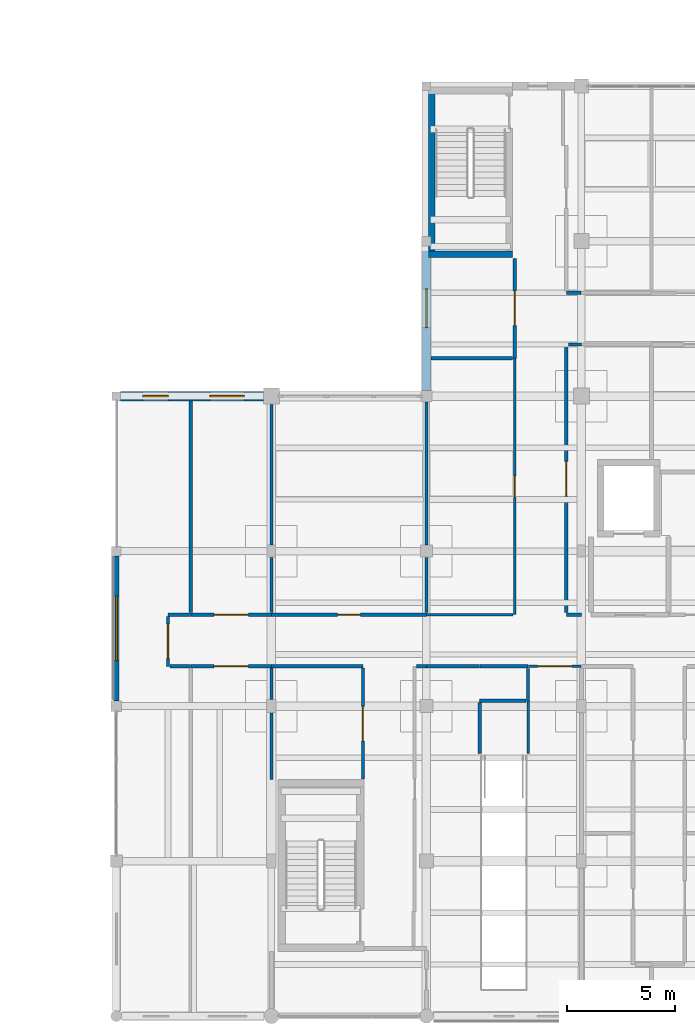
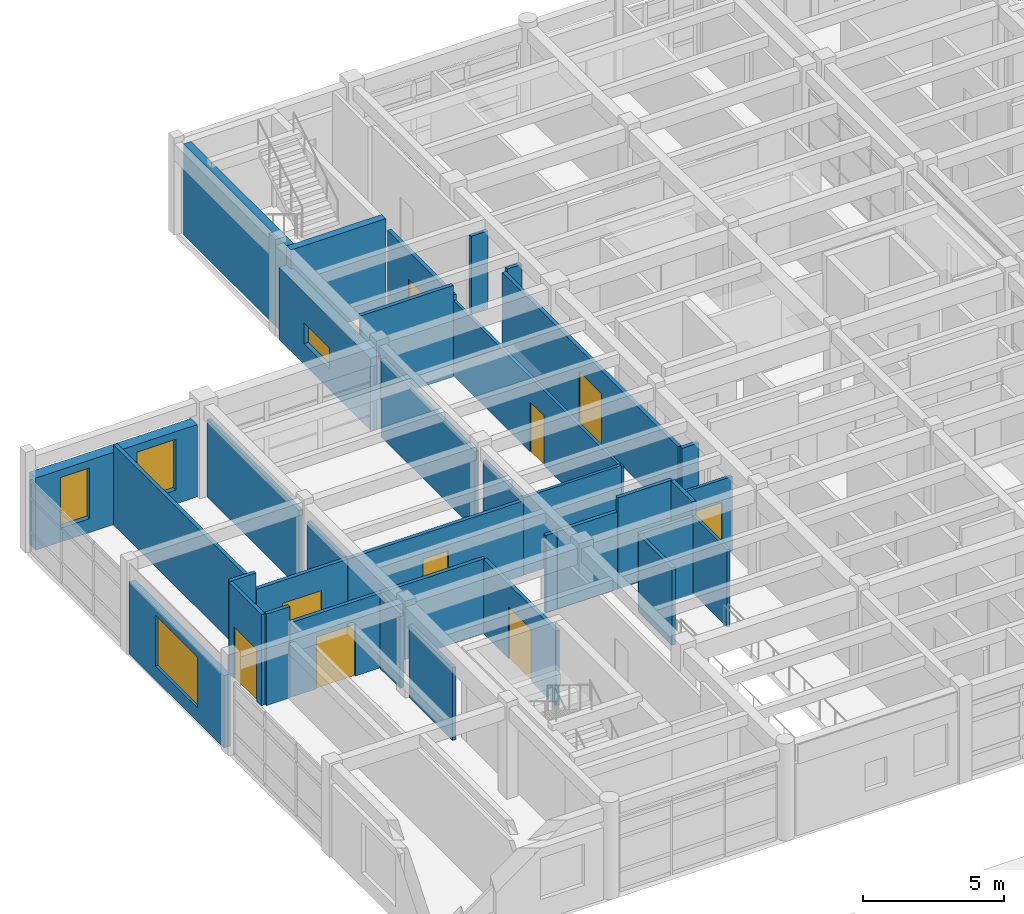
# One storey, part 83 of 110: 36 walls, 9 doors, 4 windows, 13 openings.
"""IFC4 building model written with IfcOpenShell, lengths in metres."""

from ifc_helpers import new_model, si_unit, direction, frame, frame_2d, origin, place, context, subcontext, project, spatial, rectangle, extrude, material, layer, layer_set, type_object, element, fill, save


model = new_model("IFC4")

# Units and contexts
model_context = context("Model", 3, precision=1e-05, world=origin(), true_north=direction((0.0, 1.0)))
body_context = subcontext(model_context, "Body", "Model", "MODEL_VIEW")
ifc_project = project(units=[si_unit("LENGTHUNIT", "METRE"), si_unit("AREAUNIT", "SQUARE_METRE"), si_unit("VOLUMEUNIT", "CUBIC_METRE"), si_unit("PLANEANGLEUNIT", "RADIAN"), si_unit("MASSUNIT", "GRAM", prefix="KILO")], contexts=[model_context])

# Site, building, storey
site_placement = place(None, origin())
site = spatial("IfcSite", under=ifc_project, at=site_placement, CompositionType="ELEMENT")
building_placement = place(site_placement, origin())
building = spatial("IfcBuilding", under=site, at=building_placement, Name="Steenspoor Specialist Clinic", CompositionType="ELEMENT")
storey_placement = place(building_placement, frame((0.0, 0.0, 4.800048828125)))
storey = spatial("IfcBuildingStorey", under=building, at=storey_placement, Name="L01", CompositionType="ELEMENT", Elevation=4.800048828125)

# Wall, opening, window
ifc_material_1 = material(Name="Extruded clay brick masonry", Category="masonry")
ifc_layer_1 = layer(ifc_material_1, 0.409912109375)
ifc_layer_set_1 = layer_set([ifc_layer_1], Name="Extruded clay brick masonry")
wall_type_1 = type_object("IfcWallType", Name="W-BRICK-410", PredefinedType="USERDEFINED", material=ifc_layer_set_1)
wall_1_placement = place(storey_placement, frame((30.0, 94.199951171875, 0.0), z_axis=(0.0, 0.0, 1.0), x_axis=(0.0, 1.0, 0.0)))
wall_1 = element("IfcWall", 1, at=wall_1_placement, inside=storey, type_object=wall_type_1, Name="Exterior Brick Wall EW-V5-L01-0260", ObjectType="CAVITY VENEER", PredefinedType="USERDEFINED", context=body_context, shape_type="SweptSolid", body=[
    extrude(rectangle(XDim=6.5, YDim=0.409912109375, at=frame_2d((3.25, 0.0))), origin(), (0.0, 0.0, 1.0), 3.1298828125),
])
opening_1_placement = place(wall_1_placement, frame((2.927490234375, 0.0, 0.89990234375)))
opening_1 = element("IfcOpeningElement", 2, at=opening_1_placement, cuts=wall_1, Name="Opening WN-22", PredefinedType="OPENING", context=body_context, shape_type="SweptSolid", body=[
    extrude(rectangle(XDim=1.800048828125, YDim=0.89990234375, at=frame_2d((0.89990234375, 0.449951171875))), frame((0.0, 0.21484375, 0.0), z_axis=(0.0, -1.0, 0.0), x_axis=(1.0, 0.0, 0.0)), (0.0, 0.0, 1.0), 0.429931640625),
])
ifc_material_2 = material(Name="Thermally broken aluminium and low-emissivity glass", Category="aluminium")
window_type_1 = type_object("IfcWindowType", Name="WN-EXT-180X090", PartitioningType="SINGLE_PANEL", PredefinedType="WINDOW", material=ifc_material_2)
window_1_placement = place(opening_1_placement, origin())
window_1 = element("IfcWindow", 3, at=window_1_placement, inside=storey, type_object=window_type_1, Name="Window 0285", OverallHeight=0.89990234375, OverallWidth=1.800048828125, PartitioningType="SINGLE_PANEL", PredefinedType="WINDOW", context=body_context, shape_type="SweptSolid", body=[
    extrude(rectangle(XDim=1.800048828125, YDim=0.89990234375, at=frame_2d((0.89990234375, 0.449951171875))), frame((0.0, 0.030029296875, 0.0), z_axis=(0.0, -1.0, 0.0), x_axis=(1.0, 0.0, 0.0)), (0.0, 0.0, 1.0), 0.06005859375),
])
fill(opening_1, window_1)

# Wall, openings, windows
ifc_layer_2 = layer(ifc_material_1, 0.43994140625)
ifc_layer_set_2 = layer_set([ifc_layer_2], Name="Extruded clay brick masonry")
wall_type_2 = type_object("IfcWallType", Name="W-BRICK-440", PredefinedType="USERDEFINED", material=ifc_layer_set_2)
wall_2_placement = place(storey_placement, frame((15.800048828125, 93.949951171875, 0.0), z_axis=(0.0, 0.0, 1.0), x_axis=(1.0, 0.0, 0.0)))
wall_2 = element("IfcWall", 4, at=wall_2_placement, inside=storey, type_object=wall_type_2, Name="Exterior Brick Wall EW-V5-L01-0259", ObjectType="CAVITY VENEER", PredefinedType="USERDEFINED", context=body_context, shape_type="SweptSolid", body=[
    extrude(rectangle(XDim=6.625, YDim=0.43994140625, at=frame_2d((3.3125, 0.0))), origin(), (0.0, 0.0, 1.0), 3.1298828125),
])
opening_2_placement = place(wall_2_placement, frame((1.014892578125, 0.0, 0.60009765625)))
opening_2 = element("IfcOpeningElement", 5, at=opening_2_placement, cuts=wall_2, Name="Opening WN-15", PredefinedType="OPENING", context=body_context, shape_type="SweptSolid", body=[
    extrude(rectangle(XDim=1.199951171875, YDim=2.199951171875, at=frame_2d((0.60009765625, 1.10009765625))), frame((0.0, 0.22998046875, 0.0), z_axis=(0.0, -1.0, 0.0), x_axis=(1.0, 0.0, 0.0)), (0.0, 0.0, 1.0), 0.4599609375),
])
opening_3_placement = place(wall_2_placement, frame((4.1474609375, 0.0, 0.60009765625)))
opening_3 = element("IfcOpeningElement", 6, at=opening_3_placement, cuts=wall_2, Name="Opening WN-16", PredefinedType="OPENING", context=body_context, shape_type="SweptSolid", body=[
    extrude(rectangle(XDim=1.60009765625, YDim=2.199951171875, at=frame_2d((0.800048828125, 1.10009765625))), frame((0.0, 0.22998046875, 0.0), z_axis=(0.0, -1.0, 0.0), x_axis=(1.0, 0.0, 0.0)), (0.0, 0.0, 1.0), 0.4599609375),
])
window_type_2 = type_object("IfcWindowType", Name="WN-EXT-120X220", PartitioningType="SINGLE_PANEL", PredefinedType="WINDOW", material=ifc_material_2)
window_2_placement = place(opening_2_placement, origin())
window_2 = element("IfcWindow", 7, at=window_2_placement, inside=storey, type_object=window_type_2, Name="Window 0283", OverallHeight=2.199951171875, OverallWidth=1.199951171875, PartitioningType="SINGLE_PANEL", PredefinedType="WINDOW", context=body_context, shape_type="SweptSolid", body=[
    extrude(rectangle(XDim=1.199951171875, YDim=2.199951171875, at=frame_2d((0.60009765625, 1.10009765625))), frame((0.0, 0.030029296875, 0.0), z_axis=(0.0, -1.0, 0.0), x_axis=(1.0, 0.0, 0.0)), (0.0, 0.0, 1.0), 0.06005859375),
])
fill(opening_2, window_2)
window_type_3 = type_object("IfcWindowType", Name="WN-EXT-160X220", PartitioningType="SINGLE_PANEL", PredefinedType="WINDOW", material=ifc_material_2)
window_3_placement = place(opening_3_placement, origin())
window_3 = element("IfcWindow", 8, at=window_3_placement, inside=storey, type_object=window_type_3, Name="Window 0284", OverallHeight=2.199951171875, OverallWidth=1.60009765625, PartitioningType="SINGLE_PANEL", PredefinedType="WINDOW", context=body_context, shape_type="SweptSolid", body=[
    extrude(rectangle(XDim=1.60009765625, YDim=2.199951171875, at=frame_2d((0.800048828125, 1.10009765625))), frame((0.0, 0.030029296875, 0.0), z_axis=(0.0, -1.0, 0.0), x_axis=(1.0, 0.0, 0.0)), (0.0, 0.0, 1.0), 0.06005859375),
])
fill(opening_3, window_3)

# Wall
ifc_material_3 = material(Name="Gypsum acoustic clinical partition", Category="gypsum")
ifc_layer_3 = layer(ifc_material_3, 0.14990234375)
ifc_layer_set_3 = layer_set([ifc_layer_3], Name="Gypsum acoustic clinical partition")
wall_type_3 = type_object("IfcWallType", Name="W-CLIN-150", PredefinedType="PARTITIONING", material=ifc_layer_set_3)
wall_3_placement = place(storey_placement, frame((18.0, 83.800048828125, 0.0), z_axis=(0.0, 0.0, 1.0), x_axis=(1.0, 0.0, 0.0)))
element("IfcWall", 9, at=wall_3_placement, inside=storey, type_object=wall_type_3, Name="Interior Partition IW-V5-L01-0806", PredefinedType="PARTITIONING", context=body_context, shape_type="SweptSolid", body=[
    extrude(rectangle(XDim=1.050048828125, YDim=0.14990234375, at=frame_2d((0.52490234375, 0.0))), origin(), (0.0, 0.0, 1.0), 3.949951171875),
])

# Wall, opening, door
wall_4_placement = place(storey_placement, frame((18.0, 81.39990234375, 0.0), z_axis=(0.0, 0.0, 1.0), x_axis=(0.0, 1.0, 0.0)))
wall_4 = element("IfcWall", 10, at=wall_4_placement, inside=storey, type_object=wall_type_3, Name="Interior Partition IW-V5-L01-0807", PredefinedType="PARTITIONING", context=body_context, shape_type="SweptSolid", body=[
    extrude(rectangle(XDim=2.31005859375, YDim=0.14990234375, at=frame_2d((1.155029296875, 0.0))), origin(), (0.0, 0.0, 1.0), 3.949951171875),
])
opening_4_placement = place(wall_4_placement, frame((0.35498046875, 0.0, 0.0)))
opening_4 = element("IfcOpeningElement", 11, at=opening_4_placement, cuts=wall_4, Name="Opening D0345", PredefinedType="OPENING", context=body_context, shape_type="SweptSolid", body=[
    extrude(rectangle(XDim=1.60009765625, YDim=2.25, at=frame_2d((0.800048828125, 1.125))), frame((0.0, 0.0849609375, 0.0), z_axis=(0.0, -1.0, 0.0), x_axis=(1.0, 0.0, 0.0)), (0.0, 0.0, 1.0), 0.169921875),
])
ifc_material_4 = material(Name="Hygienic HPL clinical timber door", Category="wood")
door_type_1 = type_object("IfcDoorType", Name="DT-PROC-160X225", OperationType="NOTDEFINED", PredefinedType="DOOR", material=ifc_material_4)
door_1_placement = place(opening_4_placement, origin())
door_1 = element("IfcDoor", 12, at=door_1_placement, inside=storey, type_object=door_type_1, Name="Clinical Door D0345", OperationType="SINGLE_SWING_RIGHT", OverallHeight=2.25, OverallWidth=1.60009765625, PredefinedType="DOOR", context=body_context, shape_type="SweptSolid", body=[
    extrude(rectangle(XDim=1.60009765625, YDim=2.25, at=frame_2d((0.800048828125, 1.125))), frame((0.0, 0.02490234375, 0.0), z_axis=(0.0, -1.0, 0.0), x_axis=(1.0, 0.0, 0.0)), (0.0, 0.0, 1.0), 0.050048828125),
])
fill(opening_4, door_1)

# Wall
wall_5_placement = place(storey_placement, frame((18.090087890625, 81.39990234375, 0.0), z_axis=(0.0, 0.0, 1.0), x_axis=(1.0, 0.0, 0.0)))
element("IfcWall", 13, at=wall_5_placement, inside=storey, type_object=wall_type_3, Name="Interior Partition IW-V5-L01-0808", PredefinedType="PARTITIONING", context=body_context, shape_type="SweptSolid", body=[
    extrude(rectangle(XDim=0.9599609375, YDim=0.14990234375, at=frame_2d((0.47998046875, 0.0))), origin(), (0.0, 0.0, 1.0), 3.949951171875),
])

# Wall, opening, door
wall_6_placement = place(storey_placement, frame((19.06494140625, 81.39990234375, 0.0), z_axis=(0.0, 0.0, 1.0), x_axis=(1.0, 0.0, 0.0)))
wall_6 = element("IfcWall", 14, at=wall_6_placement, inside=storey, type_object=wall_type_3, Name="Interior Partition IW-V5-L01-0809", PredefinedType="PARTITIONING", context=body_context, shape_type="SweptSolid", body=[
    extrude(rectangle(XDim=3.735107421875, YDim=0.14990234375, at=frame_2d((1.86767578125, 0.0))), origin(), (0.0, 0.0, 1.0), 3.23486328125),
])
opening_5_placement = place(wall_6_placement, frame((1.0673828125, 0.0, 0.0)))
opening_5 = element("IfcOpeningElement", 15, at=opening_5_placement, cuts=wall_6, Name="Opening D0346", PredefinedType="OPENING", context=body_context, shape_type="SweptSolid", body=[
    extrude(rectangle(XDim=1.60009765625, YDim=2.25, at=frame_2d((0.800048828125, 1.125))), frame((0.0, 0.0849609375, 0.0), z_axis=(0.0, -1.0, 0.0), x_axis=(1.0, 0.0, 0.0)), (0.0, 0.0, 1.0), 0.169921875),
])
door_2_placement = place(opening_5_placement, origin())
door_2 = element("IfcDoor", 16, at=door_2_placement, inside=storey, type_object=door_type_1, Name="Clinical Door D0346", OperationType="SINGLE_SWING_LEFT", OverallHeight=2.25, OverallWidth=1.60009765625, PredefinedType="DOOR", context=body_context, shape_type="SweptSolid", body=[
    extrude(rectangle(XDim=1.60009765625, YDim=2.25, at=frame_2d((0.800048828125, 1.125))), frame((0.0, 0.02490234375, 0.0), z_axis=(0.0, -1.0, 0.0), x_axis=(1.0, 0.0, 0.0)), (0.0, 0.0, 1.0), 0.050048828125),
])
fill(opening_5, door_2)

# Wall
wall_7_placement = place(storey_placement, frame((22.81494140625, 81.39990234375, 0.0), z_axis=(0.0, 0.0, 1.0), x_axis=(1.0, 0.0, 0.0)))
element("IfcWall", 17, at=wall_7_placement, inside=storey, type_object=wall_type_3, Name="Interior Partition IW-V5-L01-0815", PredefinedType="PARTITIONING", context=body_context, shape_type="SweptSolid", body=[
    extrude(rectangle(XDim=4.235107421875, YDim=0.14990234375, at=frame_2d((2.11767578125, 0.0))), origin(), (0.0, 0.0, 1.0), 3.23486328125),
])

# Wall, opening, door
wall_8_placement = place(storey_placement, frame((27.050048828125, 76.1650390625, 0.0), z_axis=(0.0, 0.0, 1.0), x_axis=(0.0, 1.0, 0.0)))
wall_8 = element("IfcWall", 18, at=wall_8_placement, inside=storey, type_object=wall_type_3, Name="Interior Partition IW-V5-L01-0816", PredefinedType="PARTITIONING", context=body_context, shape_type="SweptSolid", body=[
    extrude(rectangle(XDim=5.14501953125, YDim=0.14990234375, at=frame_2d((2.572509765625, 0.0))), origin(), (0.0, 0.0, 1.0), 3.23486328125),
])
opening_6_placement = place(wall_8_placement, frame((1.7724609375, 0.0, 0.0)))
opening_6 = element("IfcOpeningElement", 19, at=opening_6_placement, cuts=wall_8, Name="Opening D0356", PredefinedType="OPENING", context=body_context, shape_type="SweptSolid", body=[
    extrude(rectangle(XDim=1.60009765625, YDim=2.25, at=frame_2d((0.800048828125, 1.125))), frame((0.0, 0.0849609375, 0.0), z_axis=(0.0, -1.0, 0.0), x_axis=(1.0, 0.0, 0.0)), (0.0, 0.0, 1.0), 0.169921875),
])
door_3_placement = place(opening_6_placement, origin())
door_3 = element("IfcDoor", 20, at=door_3_placement, inside=storey, type_object=door_type_1, Name="Clinical Door D0356", OperationType="SINGLE_SWING_LEFT", OverallHeight=2.25, OverallWidth=1.60009765625, PredefinedType="DOOR", context=body_context, shape_type="SweptSolid", body=[
    extrude(rectangle(XDim=1.60009765625, YDim=2.25, at=frame_2d((0.800048828125, 1.125))), frame((0.0, 0.02490234375, 0.0), z_axis=(0.0, -1.0, 0.0), x_axis=(1.0, 0.0, 0.0)), (0.0, 0.0, 1.0), 0.050048828125),
])
fill(opening_6, door_3)

wall_9_placement = place(storey_placement, frame((19.06494140625, 83.800048828125, 0.0), z_axis=(0.0, 0.0, 1.0), x_axis=(1.0, 0.0, 0.0)))
wall_9 = element("IfcWall", 21, at=wall_9_placement, inside=storey, type_object=wall_type_3, Name="Interior Partition IW-V5-L01-0817", PredefinedType="PARTITIONING", context=body_context, shape_type="SweptSolid", body=[
    extrude(rectangle(XDim=3.735107421875, YDim=0.14990234375, at=frame_2d((1.86767578125, 0.0))), origin(), (0.0, 0.0, 1.0), 3.23486328125),
])
opening_7_placement = place(wall_9_placement, frame((1.0673828125, 0.0, 0.0)))
opening_7 = element("IfcOpeningElement", 22, at=opening_7_placement, cuts=wall_9, Name="Opening D0357", PredefinedType="OPENING", context=body_context, shape_type="SweptSolid", body=[
    extrude(rectangle(XDim=1.60009765625, YDim=2.25, at=frame_2d((0.800048828125, 1.125))), frame((0.0, 0.0849609375, 0.0), z_axis=(0.0, -1.0, 0.0), x_axis=(1.0, 0.0, 0.0)), (0.0, 0.0, 1.0), 0.169921875),
])
door_4_placement = place(opening_7_placement, origin())
door_4 = element("IfcDoor", 23, at=door_4_placement, inside=storey, type_object=door_type_1, Name="Clinical Door D0357", OperationType="SINGLE_SWING_RIGHT", OverallHeight=2.25, OverallWidth=1.60009765625, PredefinedType="DOOR", context=body_context, shape_type="SweptSolid", body=[
    extrude(rectangle(XDim=1.60009765625, YDim=2.25, at=frame_2d((0.800048828125, 1.125))), frame((0.0, 0.02490234375, 0.0), z_axis=(0.0, -1.0, 0.0), x_axis=(1.0, 0.0, 0.0)), (0.0, 0.0, 1.0), 0.050048828125),
])
fill(opening_7, door_4)

# Wall
wall_10_placement = place(storey_placement, frame((36.5, 83.800048828125, 0.0), z_axis=(0.0, 0.0, 1.0), x_axis=(1.0, 0.0, 0.0)))
element("IfcWall", 24, at=wall_10_placement, inside=storey, type_object=wall_type_3, Name="Interior Partition IW-V5-L01-0818", PredefinedType="PARTITIONING", context=body_context, shape_type="SweptSolid", body=[
    extrude(rectangle(XDim=0.699951171875, YDim=0.14990234375, at=frame_2d((0.35009765625, 0.0))), origin(), (0.0, 0.0, 1.0), 3.23486328125),
])

# Wall, opening, door
wall_11_placement = place(storey_placement, frame((36.5, 83.889892578125, 0.0), z_axis=(0.0, 0.0, 1.0), x_axis=(0.0, 1.0, 0.0)))
wall_11 = element("IfcWall", 25, at=wall_11_placement, inside=storey, type_object=wall_type_3, Name="Interior Partition IW-V5-L01-0819", PredefinedType="PARTITIONING", context=body_context, shape_type="SweptSolid", body=[
    extrude(rectangle(XDim=12.460205078125, YDim=0.14990234375, at=frame_2d((6.22998046875, 0.0))), origin(), (0.0, 0.0, 1.0), 3.23486328125),
])
opening_8_placement = place(wall_11_placement, frame((5.429931640625, 0.0, 0.0)))
opening_8 = element("IfcOpeningElement", 26, at=opening_8_placement, cuts=wall_11, Name="Opening D0360", PredefinedType="OPENING", context=body_context, shape_type="SweptSolid", body=[
    extrude(rectangle(XDim=1.60009765625, YDim=2.25, at=frame_2d((0.800048828125, 1.125))), frame((0.0, 0.0849609375, 0.0), z_axis=(0.0, -1.0, 0.0), x_axis=(1.0, 0.0, 0.0)), (0.0, 0.0, 1.0), 0.169921875),
])
door_5_placement = place(opening_8_placement, origin())
door_5 = element("IfcDoor", 27, at=door_5_placement, inside=storey, type_object=door_type_1, Name="Clinical Door D0360", OperationType="SINGLE_SWING_LEFT", OverallHeight=2.25, OverallWidth=1.60009765625, PredefinedType="DOOR", context=body_context, shape_type="SweptSolid", body=[
    extrude(rectangle(XDim=1.60009765625, YDim=2.25, at=frame_2d((0.800048828125, 1.125))), frame((0.0, 0.02490234375, 0.0), z_axis=(0.0, -1.0, 0.0), x_axis=(1.0, 0.0, 0.0)), (0.0, 0.0, 1.0), 0.050048828125),
])
fill(opening_8, door_5)

# Wall
wall_12_placement = place(storey_placement, frame((36.590087890625, 96.35009765625, 0.0), z_axis=(0.0, 0.0, 1.0), x_axis=(1.0, 0.0, 0.0)))
element("IfcWall", 28, at=wall_12_placement, inside=storey, type_object=wall_type_3, Name="Interior Partition IW-V5-L01-0820", PredefinedType="PARTITIONING", context=body_context, shape_type="SweptSolid", body=[
    extrude(rectangle(XDim=0.60986328125, YDim=0.14990234375, at=frame_2d((0.304931640625, 0.0))), origin(), (0.0, 0.0, 1.0), 3.35498046875),
])

# Wall, opening, door
wall_13_placement = place(storey_placement, frame((34.10009765625, 95.705078125, 0.0), z_axis=(0.0, 0.0, 1.0), x_axis=(0.0, 1.0, 0.0)))
wall_13 = element("IfcWall", 29, at=wall_13_placement, inside=storey, type_object=wall_type_3, Name="Interior Partition IW-V5-L01-0827", PredefinedType="PARTITIONING", context=body_context, shape_type="SweptSolid", body=[
    extrude(rectangle(XDim=4.64501953125, YDim=0.14990234375, at=frame_2d((2.322509765625, 0.0))), origin(), (0.0, 0.0, 1.0), 3.474853515625),
])
opening_9_placement = place(wall_13_placement, frame((1.5224609375, 0.0, 0.0)))
opening_9 = element("IfcOpeningElement", 30, at=opening_9_placement, cuts=wall_13, Name="Opening D0365", PredefinedType="OPENING", context=body_context, shape_type="SweptSolid", body=[
    extrude(rectangle(XDim=1.60009765625, YDim=2.25, at=frame_2d((0.800048828125, 1.125))), frame((0.0, 0.0849609375, 0.0), z_axis=(0.0, -1.0, 0.0), x_axis=(1.0, 0.0, 0.0)), (0.0, 0.0, 1.0), 0.169921875),
])
door_6_placement = place(opening_9_placement, origin())
door_6 = element("IfcDoor", 31, at=door_6_placement, inside=storey, type_object=door_type_1, Name="Clinical Door D0365", OperationType="SINGLE_SWING_RIGHT", OverallHeight=2.25, OverallWidth=1.60009765625, PredefinedType="DOOR", context=body_context, shape_type="SweptSolid", body=[
    extrude(rectangle(XDim=1.60009765625, YDim=2.25, at=frame_2d((0.800048828125, 1.125))), frame((0.0, 0.02490234375, 0.0), z_axis=(0.0, -1.0, 0.0), x_axis=(1.0, 0.0, 0.0)), (0.0, 0.0, 1.0), 0.050048828125),
])
fill(opening_9, door_6)

# Walls
wall_14_placement = place(storey_placement, frame((29.5400390625, 81.39990234375, 0.0), z_axis=(0.0, 0.0, 1.0), x_axis=(1.0, 0.0, 0.0)))
element("IfcWall", 32, at=wall_14_placement, inside=storey, type_object=wall_type_3, Name="Interior Partition IW-V5-L01-0926", PredefinedType="PARTITIONING", context=body_context, shape_type="SweptSolid", body=[
    extrude(rectangle(XDim=0.4599609375, YDim=0.14990234375, at=frame_2d((0.22998046875, 0.0))), origin(), (0.0, 0.0, 1.0), 3.35498046875),
])
wall_15_placement = place(storey_placement, frame((30.014892578125, 81.39990234375, 0.0), z_axis=(0.0, 0.0, 1.0), x_axis=(1.0, 0.0, 0.0)))
element("IfcWall", 33, at=wall_15_placement, inside=storey, type_object=wall_type_3, Name="Interior Partition IW-V5-L01-0927", PredefinedType="PARTITIONING", context=body_context, shape_type="SweptSolid", body=[
    extrude(rectangle(XDim=2.460205078125, YDim=0.14990234375, at=frame_2d((1.22998046875, 0.0))), origin(), (0.0, 0.0, 1.0), 3.35498046875),
])
wall_16_placement = place(storey_placement, frame((32.489990234375, 81.39990234375, 0.0), z_axis=(0.0, 0.0, 1.0), x_axis=(1.0, 0.0, 0.0)))
element("IfcWall", 34, at=wall_16_placement, inside=storey, type_object=wall_type_3, Name="Interior Partition IW-V5-L01-0928", PredefinedType="PARTITIONING", context=body_context, shape_type="SweptSolid", body=[
    extrude(rectangle(XDim=2.235107421875, YDim=0.14990234375, at=frame_2d((1.11767578125, 0.0))), origin(), (0.0, 0.0, 1.0), 3.949951171875),
])

# Wall, opening, door
wall_17_placement = place(storey_placement, frame((22.81494140625, 83.800048828125, 0.0), z_axis=(0.0, 0.0, 1.0), x_axis=(1.0, 0.0, 0.0)))
wall_17 = element("IfcWall", 35, at=wall_17_placement, inside=storey, type_object=wall_type_3, Name="Interior Partition IW-V5-L01-0929", PredefinedType="PARTITIONING", context=body_context, shape_type="SweptSolid", body=[
    extrude(rectangle(XDim=7.18505859375, YDim=0.14990234375, at=frame_2d((3.592529296875, 0.0))), origin(), (0.0, 0.0, 1.0), 3.23486328125),
])
opening_10_placement = place(wall_17_placement, frame((3.0673828125, 0.0, 0.0)))
opening_10 = element("IfcOpeningElement", 36, at=opening_10_placement, cuts=wall_17, Name="Opening D0358", PredefinedType="OPENING", context=body_context, shape_type="SweptSolid", body=[
    extrude(rectangle(XDim=1.050048828125, YDim=2.14990234375, at=frame_2d((0.52490234375, 1.074951171875))), frame((0.0, 0.0849609375, 0.0), z_axis=(0.0, -1.0, 0.0), x_axis=(1.0, 0.0, 0.0)), (0.0, 0.0, 1.0), 0.169921875),
])
ifc_material_5 = material(Name="Solid-core hardwood office door", Category="wood")
door_type_2 = type_object("IfcDoorType", Name="DT-OFF-105X215", OperationType="NOTDEFINED", PredefinedType="DOOR", material=ifc_material_5)
door_7_placement = place(opening_10_placement, origin())
door_7 = element("IfcDoor", 37, at=door_7_placement, inside=storey, type_object=door_type_2, Name="Clinical Door D0358", OperationType="SINGLE_SWING_LEFT", OverallHeight=2.14990234375, OverallWidth=1.050048828125, PredefinedType="DOOR", context=body_context, shape_type="SweptSolid", body=[
    extrude(rectangle(XDim=1.050048828125, YDim=2.14990234375, at=frame_2d((0.52490234375, 1.074951171875))), frame((0.0, 0.02490234375, 0.0), z_axis=(0.0, -1.0, 0.0), x_axis=(1.0, 0.0, 0.0)), (0.0, 0.0, 1.0), 0.050048828125),
])
fill(opening_10, door_7)

# Walls
wall_18_placement = place(storey_placement, frame((36.5, 98.75, 0.0), z_axis=(0.0, 0.0, 1.0), x_axis=(1.0, 0.0, 0.0)))
element("IfcWall", 38, at=wall_18_placement, inside=storey, type_object=wall_type_3, Name="Interior Partition IW-V5-L01-0932", PredefinedType="PARTITIONING", context=body_context, shape_type="SweptSolid", body=[
    extrude(rectangle(XDim=0.68505859375, YDim=0.14990234375, at=frame_2d((0.342529296875, 0.0))), origin(), (0.0, 0.0, 1.0), 3.35498046875),
])
wall_19_placement = place(storey_placement, frame((19.050048828125, 83.889892578125, 0.0), z_axis=(0.0, 0.0, 1.0), x_axis=(0.0, 1.0, 0.0)))
element("IfcWall", 39, at=wall_19_placement, inside=storey, type_object=wall_type_3, Name="Interior Partition IW-V5-L01-1141", PredefinedType="PARTITIONING", context=body_context, shape_type="SweptSolid", body=[
    extrude(rectangle(XDim=9.8251953125, YDim=0.14990234375, at=frame_2d((4.91259765625, 0.0))), origin(), (0.0, 0.0, 1.0), 3.47998046875),
])
wall_20_placement = place(storey_placement, frame((22.800048828125, 76.14990234375, 0.0), z_axis=(0.0, 0.0, 1.0), x_axis=(0.0, 1.0, 0.0)))
element("IfcWall", 40, at=wall_20_placement, inside=storey, type_object=wall_type_3, Name="Interior Partition IW-V5-L01-1142", PredefinedType="PARTITIONING", context=body_context, shape_type="SweptSolid", body=[
    extrude(rectangle(XDim=3.085205078125, YDim=0.14990234375, at=frame_2d((1.54248046875, 0.0))), origin(), (0.0, 0.0, 1.0), 3.135009765625),
])
wall_21_placement = place(storey_placement, frame((22.800048828125, 79.864990234375, 0.0), z_axis=(0.0, 0.0, 1.0), x_axis=(0.0, 1.0, 0.0)))
element("IfcWall", 41, at=wall_21_placement, inside=storey, type_object=wall_type_3, Name="Interior Partition IW-V5-L01-1143", PredefinedType="PARTITIONING", context=body_context, shape_type="SweptSolid", body=[
    extrude(rectangle(XDim=1.445068359375, YDim=0.14990234375, at=frame_2d((0.72265625, 0.0))), origin(), (0.0, 0.0, 1.0), 3.23486328125),
])
wall_22_placement = place(storey_placement, frame((22.800048828125, 83.889892578125, 0.0), z_axis=(0.0, 0.0, 1.0), x_axis=(0.0, 1.0, 0.0)))
element("IfcWall", 42, at=wall_22_placement, inside=storey, type_object=wall_type_3, Name="Interior Partition IW-V5-L01-1146", PredefinedType="PARTITIONING", context=body_context, shape_type="SweptSolid", body=[
    extrude(rectangle(XDim=2.570068359375, YDim=0.14990234375, at=frame_2d((1.28515625, 0.0))), origin(), (0.0, 0.0, 1.0), 3.23486328125),
])
wall_23_placement = place(storey_placement, frame((22.800048828125, 87.0400390625, 0.0), z_axis=(0.0, 0.0, 1.0), x_axis=(0.0, 1.0, 0.0)))
element("IfcWall", 43, at=wall_23_placement, inside=storey, type_object=wall_type_3, Name="Interior Partition IW-V5-L01-1147", PredefinedType="PARTITIONING", context=body_context, shape_type="SweptSolid", body=[
    extrude(rectangle(XDim=6.52001953125, YDim=0.14990234375, at=frame_2d((3.260009765625, 0.0))), origin(), (0.0, 0.0, 1.0), 3.35498046875),
])
wall_24_placement = place(storey_placement, frame((30.219970703125, 95.705078125, 0.0), z_axis=(0.0, 0.0, 1.0), x_axis=(1.0, 0.0, 0.0)))
element("IfcWall", 44, at=wall_24_placement, inside=storey, type_object=wall_type_3, Name="Interior Partition IW-V5-L01-1148", PredefinedType="PARTITIONING", context=body_context, shape_type="SweptSolid", body=[
    extrude(rectangle(XDim=3.7900390625, YDim=0.14990234375, at=frame_2d((1.89501953125, 0.0))), origin(), (0.0, 0.0, 1.0), 3.949951171875),
])
wall_25_placement = place(storey_placement, frame((34.72509765625, 79.800048828125, 0.0), z_axis=(0.0, 0.0, 1.0), x_axis=(0.0, 1.0, 0.0)))
element("IfcWall", 45, at=wall_25_placement, inside=storey, type_object=wall_type_3, Name="Interior Partition IW-V5-L01-1205", PredefinedType="PARTITIONING", context=body_context, shape_type="SweptSolid", body=[
    extrude(rectangle(XDim=1.510009765625, YDim=0.14990234375, at=frame_2d((0.7548828125, 0.0))), origin(), (0.0, 0.0, 1.0), 3.949951171875),
])
wall_26_placement = place(storey_placement, frame((32.47509765625, 79.800048828125, 0.0), z_axis=(0.0, 0.0, 1.0), x_axis=(1.0, 0.0, 0.0)))
element("IfcWall", 46, at=wall_26_placement, inside=storey, type_object=wall_type_3, Name="Interior Partition IW-V5-L01-1206", PredefinedType="PARTITIONING", context=body_context, shape_type="SweptSolid", body=[
    extrude(rectangle(XDim=2.159912109375, YDim=0.14990234375, at=frame_2d((1.080078125, 0.0))), origin(), (0.0, 0.0, 1.0), 3.35498046875),
])
wall_27_placement = place(storey_placement, frame((32.47509765625, 77.35009765625, 0.0), z_axis=(0.0, 0.0, 1.0), x_axis=(0.0, 1.0, 0.0)))
element("IfcWall", 47, at=wall_27_placement, inside=storey, type_object=wall_type_3, Name="Interior Partition IW-V5-L01-1207", PredefinedType="PARTITIONING", context=body_context, shape_type="SweptSolid", body=[
    extrude(rectangle(XDim=2.35986328125, YDim=0.14990234375, at=frame_2d((1.179931640625, 0.0))), origin(), (0.0, 0.0, 1.0), 3.35498046875),
])
wall_28_placement = place(storey_placement, frame((30.0, 83.889892578125, 0.0), z_axis=(0.0, 0.0, 1.0), x_axis=(0.0, 1.0, 0.0)))
element("IfcWall", 48, at=wall_28_placement, inside=storey, type_object=wall_type_3, Name="Interior Partition IW-V5-L01-1208", PredefinedType="PARTITIONING", context=body_context, shape_type="SweptSolid", body=[
    extrude(rectangle(XDim=2.570068359375, YDim=0.14990234375, at=frame_2d((1.28515625, 0.0))), origin(), (0.0, 0.0, 1.0), 3.35498046875),
])
wall_29_placement = place(storey_placement, frame((30.0, 87.0400390625, 0.0), z_axis=(0.0, 0.0, 1.0), x_axis=(0.0, 1.0, 0.0)))
element("IfcWall", 49, at=wall_29_placement, inside=storey, type_object=wall_type_3, Name="Interior Partition IW-V5-L01-1209", PredefinedType="PARTITIONING", context=body_context, shape_type="SweptSolid", body=[
    extrude(rectangle(XDim=6.64501953125, YDim=0.14990234375, at=frame_2d((3.322509765625, 0.0))), origin(), (0.0, 0.0, 1.0), 3.385009765625),
])

# Wall, opening, door
ifc_material_6 = material(Name="Gypsum studio partition board", Category="gypsum")
ifc_layer_4 = layer(ifc_material_6, 0.1201171875)
ifc_layer_set_4 = layer_set([ifc_layer_4], Name="Gypsum studio partition board")
wall_type_4 = type_object("IfcWallType", Name="W-PART-120", PredefinedType="PARTITIONING", material=ifc_layer_set_4)
wall_30_placement = place(storey_placement, frame((34.739990234375, 81.39990234375, 0.0), z_axis=(0.0, 0.0, 1.0), x_axis=(1.0, 0.0, 0.0)))
wall_30 = element("IfcWall", 50, at=wall_30_placement, inside=storey, type_object=wall_type_4, Name="Interior Partition IW-V5-L01-1020", PredefinedType="PARTITIONING", context=body_context, shape_type="SweptSolid", body=[
    extrude(rectangle(XDim=2.445068359375, YDim=0.1201171875, at=frame_2d((1.22265625, 0.0))), origin(), (0.0, 0.0, 1.0), 3.23486328125),
])
opening_11_placement = place(wall_30_placement, frame((0.422607421875, 0.0, 0.0)))
opening_11 = element("IfcOpeningElement", 51, at=opening_11_placement, cuts=wall_30, Name="Opening D0349", PredefinedType="OPENING", context=body_context, shape_type="SweptSolid", body=[
    extrude(rectangle(XDim=1.60009765625, YDim=2.25, at=frame_2d((0.800048828125, 1.125))), frame((0.0, 0.070068359375, 0.0), z_axis=(0.0, -1.0, 0.0), x_axis=(1.0, 0.0, 0.0)), (0.0, 0.0, 1.0), 0.14013671875),
])
door_8_placement = place(opening_11_placement, origin())
door_8 = element("IfcDoor", 52, at=door_8_placement, inside=storey, type_object=door_type_1, Name="Clinical Door D0349", OperationType="SINGLE_SWING_RIGHT", OverallHeight=2.25, OverallWidth=1.60009765625, PredefinedType="DOOR", context=body_context, shape_type="SweptSolid", body=[
    extrude(rectangle(XDim=1.60009765625, YDim=2.25, at=frame_2d((0.800048828125, 1.125))), frame((0.0, 0.02490234375, 0.0), z_axis=(0.0, -1.0, 0.0), x_axis=(1.0, 0.0, 0.0)), (0.0, 0.0, 1.0), 0.050048828125),
])
fill(opening_11, door_8)

wall_31_placement = place(storey_placement, frame((34.10009765625, 83.800048828125, 0.0), z_axis=(0.0, 0.0, 1.0), x_axis=(0.0, 1.0, 0.0)))
wall_31 = element("IfcWall", 53, at=wall_31_placement, inside=storey, type_object=wall_type_4, Name="Interior Partition IW-V5-L01-1021", PredefinedType="PARTITIONING", context=body_context, shape_type="SweptSolid", body=[
    extrude(rectangle(XDim=11.889892578125, YDim=0.1201171875, at=frame_2d((5.94482421875, 0.0))), origin(), (0.0, 0.0, 1.0), 3.23486328125),
])
opening_12_placement = place(wall_31_placement, frame((5.445068359375, 0.0, 0.0)))
opening_12 = element("IfcOpeningElement", 54, at=opening_12_placement, cuts=wall_31, Name="Opening D0359", PredefinedType="OPENING", context=body_context, shape_type="SweptSolid", body=[
    extrude(rectangle(XDim=1.0, YDim=2.14990234375, at=frame_2d((0.5, 1.074951171875))), frame((0.0, 0.070068359375, 0.0), z_axis=(0.0, -1.0, 0.0), x_axis=(1.0, 0.0, 0.0)), (0.0, 0.0, 1.0), 0.14013671875),
])
ifc_material_7 = material(Name="Moisture-resistant HPL accessible WC door", Category="wood")
door_type_3 = type_object("IfcDoorType", Name="DT-AWC-100X215", OperationType="NOTDEFINED", PredefinedType="DOOR", material=ifc_material_7)
door_9_placement = place(opening_12_placement, origin())
door_9 = element("IfcDoor", 55, at=door_9_placement, inside=storey, type_object=door_type_3, Name="Clinical Door D0359", OperationType="SINGLE_SWING_RIGHT", OverallHeight=2.14990234375, OverallWidth=1.0, PredefinedType="DOOR", context=body_context, shape_type="SweptSolid", body=[
    extrude(rectangle(XDim=1.0, YDim=2.14990234375, at=frame_2d((0.5, 1.074951171875))), frame((0.0, 0.02490234375, 0.0), z_axis=(0.0, -1.0, 0.0), x_axis=(1.0, 0.0, 0.0)), (0.0, 0.0, 1.0), 0.050048828125),
])
fill(opening_12, door_9)

# Walls
wall_32_placement = place(storey_placement, frame((30.014892578125, 83.800048828125, 0.0), z_axis=(0.0, 0.0, 1.0), x_axis=(1.0, 0.0, 0.0)))
element("IfcWall", 56, at=wall_32_placement, inside=storey, type_object=wall_type_4, Name="Interior Partition IW-V5-L01-1022", PredefinedType="PARTITIONING", context=body_context, shape_type="SweptSolid", body=[
    extrude(rectangle(XDim=4.010009765625, YDim=0.1201171875, at=frame_2d((2.0048828125, 0.0))), origin(), (0.0, 0.0, 1.0), 3.35498046875),
])
wall_33_placement = place(storey_placement, frame((34.72509765625, 77.35009765625, 0.0), z_axis=(0.0, 0.0, 1.0), x_axis=(0.0, 1.0, 0.0)))
element("IfcWall", 57, at=wall_33_placement, inside=storey, type_object=wall_type_4, Name="Interior Partition IW-V5-L01-1233", PredefinedType="PARTITIONING", context=body_context, shape_type="SweptSolid", body=[
    extrude(rectangle(XDim=2.434814453125, YDim=0.1201171875, at=frame_2d((1.21728515625, 0.0))), origin(), (0.0, 0.0, 1.0), 3.35498046875),
])

# Wall, opening, window
ifc_layer_5 = layer(ifc_material_1, 0.260009765625)
ifc_layer_set_5 = layer_set([ifc_layer_5], Name="Extruded clay brick masonry")
wall_type_5 = type_object("IfcWallType", Name="W-SCREEN-260", PredefinedType="SOLIDWALL", material=ifc_layer_set_5)
wall_34_placement = place(storey_placement, frame((15.60009765625, 79.800048828125, 0.0), z_axis=(0.0, 0.0, 1.0), x_axis=(0.0, 1.0, 0.0)))
wall_34 = element("IfcWall", 58, at=wall_34_placement, inside=storey, type_object=wall_type_5, Name="Exterior Brick Wall EW-V5-L01-0258", PredefinedType="SOLIDWALL", context=body_context, shape_type="SweptSolid", body=[
    extrude(rectangle(XDim=6.724853515625, YDim=0.260009765625, at=frame_2d((3.3623046875, 0.0))), origin(), (0.0, 0.0, 1.0), 3.1298828125),
])
opening_13_placement = place(wall_34_placement, frame((1.862548828125, 0.0, 0.60009765625)))
opening_13 = element("IfcOpeningElement", 59, at=opening_13_placement, cuts=wall_34, Name="Opening WN-19", PredefinedType="OPENING", context=body_context, shape_type="SweptSolid", body=[
    extrude(rectangle(XDim=3.0, YDim=2.199951171875, at=frame_2d((1.5, 1.10009765625))), frame((0.0, 0.14013671875, 0.0), z_axis=(0.0, -1.0, 0.0), x_axis=(1.0, 0.0, 0.0)), (0.0, 0.0, 1.0), 0.280029296875),
])
window_type_4 = type_object("IfcWindowType", Name="WN-EXT-300X220", PartitioningType="SINGLE_PANEL", PredefinedType="WINDOW", material=ifc_material_2)
window_4_placement = place(opening_13_placement, origin())
window_4 = element("IfcWindow", 60, at=window_4_placement, inside=storey, type_object=window_type_4, Name="Window 0282", OverallHeight=2.199951171875, OverallWidth=3.0, PartitioningType="SINGLE_PANEL", PredefinedType="WINDOW", context=body_context, shape_type="SweptSolid", body=[
    extrude(rectangle(XDim=3.0, YDim=2.199951171875, at=frame_2d((1.5, 1.10009765625))), frame((0.0, 0.030029296875, 0.0), z_axis=(0.0, -1.0, 0.0), x_axis=(1.0, 0.0, 0.0)), (0.0, 0.0, 1.0), 0.06005859375),
])
fill(opening_13, window_4)

# Walls
ifc_material_8 = material(Name="Concrete C40/50", Category="concrete")
ifc_layer_6 = layer(ifc_material_8, 0.300048828125)
ifc_layer_set_6 = layer_set([ifc_layer_6], Name="Concrete C40/50")
wall_type_6 = type_object("IfcWallType", Name="W-SW-300", PredefinedType="SHEAR", material=ifc_layer_set_6)
wall_35_placement = place(storey_placement, frame((30.10009765625, 100.550048828125, 0.0), z_axis=(0.0, 0.0, 1.0), x_axis=(1.0, 0.0, 0.0)))
element("IfcWall", 61, at=wall_35_placement, inside=storey, type_object=wall_type_6, Name="Core Shear Wall SW-ST-V5A-L01-S", PredefinedType="SHEAR", context=body_context, shape_type="SweptSolid", body=[
    extrude(rectangle(XDim=3.89990234375, YDim=0.300048828125, at=frame_2d((1.949951171875, 0.0))), origin(), (0.0, 0.0, 1.0), 3.949951171875),
])
wall_36_placement = place(storey_placement, frame((30.25, 100.699951171875, 0.0), z_axis=(0.0, 0.0, 1.0), x_axis=(0.0, 1.0, 0.0)))
element("IfcWall", 62, at=wall_36_placement, inside=storey, type_object=wall_type_6, Name="Core Shear Wall SW-ST-V5A-L01-W", PredefinedType="SHEAR", context=body_context, shape_type="SweptSolid", body=[
    extrude(rectangle(XDim=7.300048828125, YDim=0.300048828125, at=frame_2d((3.64990234375, 0.0))), origin(), (0.0, 0.0, 1.0), 3.949951171875),
])

save(model, "model.ifc")
